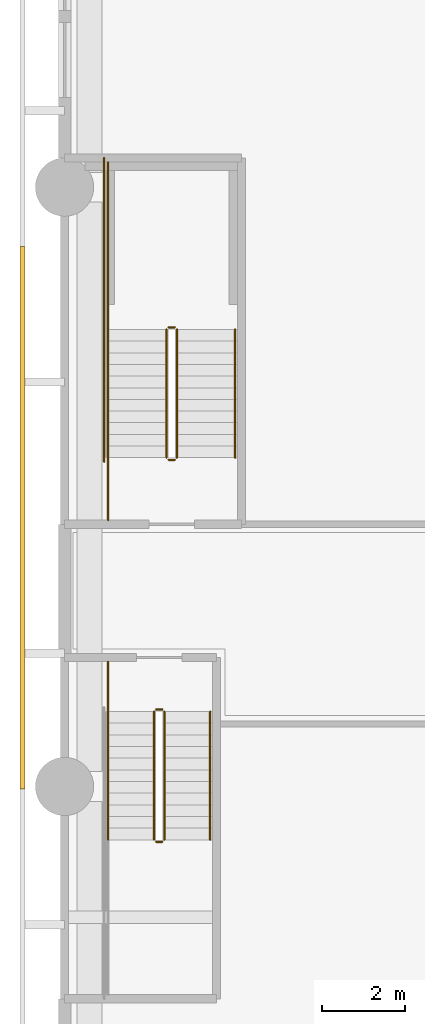
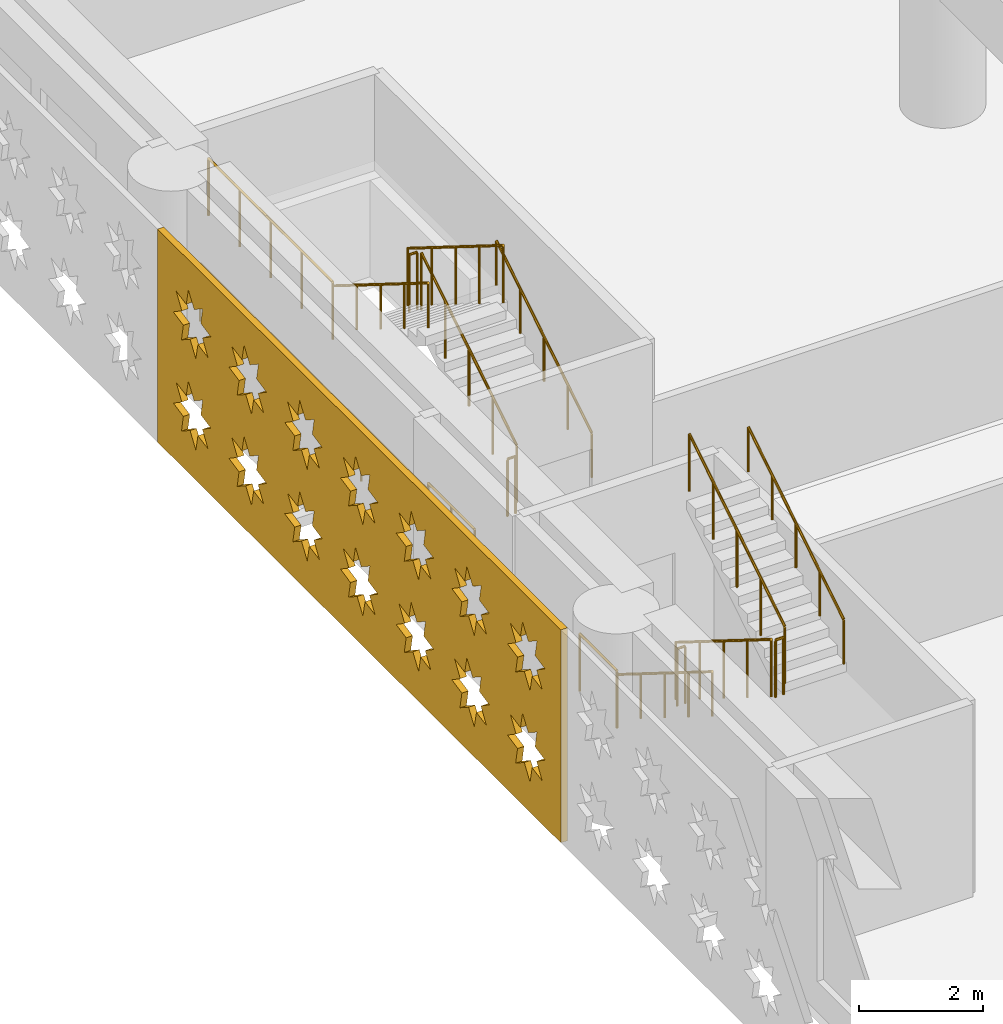
# One storey, part 14 of 23: 16 railings, 1 covering.
"""IFC4 building model written with IfcOpenShell, lengths in metres."""

from ifc_helpers import new_model, si_unit, direction, frame, origin, origin_2d, place, context, subcontext, project, spatial, polyline, circle, outline, extrude, material, layer, layer_set, type_object, element, save


model = new_model("IFC4")

# Units and contexts
model_context = context("Model", 3, precision=1e-05, world=origin(), true_north=direction((0.0, 1.0)))
body_context = subcontext(model_context, "Body", "Model", "MODEL_VIEW")
ifc_project = project(units=[si_unit("LENGTHUNIT", "METRE"), si_unit("AREAUNIT", "SQUARE_METRE"), si_unit("VOLUMEUNIT", "CUBIC_METRE"), si_unit("PLANEANGLEUNIT", "RADIAN"), si_unit("MASSUNIT", "GRAM", prefix="KILO")], contexts=[model_context])

# Site, building, storey
site_placement = place(None, origin())
site = spatial("IfcSite", under=ifc_project, at=site_placement, CompositionType="ELEMENT")
building_placement = place(site_placement, origin())
building = spatial("IfcBuilding", under=site, at=building_placement, Name="Saffron Iwan Residences", CompositionType="ELEMENT")
storey_placement = place(building_placement, frame((0.0, 0.0, 17.39990234375)))
storey = spatial("IfcBuildingStorey", under=building, at=storey_placement, Name="L03", CompositionType="ELEMENT", Elevation=17.39990234375)

# Covering
ifc_material_1 = material(Name="Terracotta screen, precast concrete C40/50", Category="masonry")
ifc_layer = layer(ifc_material_1, 0.1201171875)
ifc_layer_set = layer_set([ifc_layer], Name="Terracotta screen, precast concrete C40/50")
covering_type = type_object("IfcCoveringType", Name="PODIUM SCREEN GIRIH", PredefinedType="CLADDING", material=ifc_layer_set)
covering_placement = place(storey_placement, frame((-0.949951171875, 60.976806640625, -0.39990234375), z_axis=(-1.0, 0.0, 0.0), x_axis=(0.0, -1.0, 0.0)))
element("IfcCovering", 1, at=covering_placement, inside=storey, type_object=covering_type, Name="SCREEN girih terracotta L03 F3.2", PredefinedType="CLADDING", context=body_context, shape_type="SweptSolid", body=[
    extrude(outline(polyline([(0.0, 0.0), (13.03662109375, 0.0), (13.03662109375, 4.199951171875), (0.0, 4.199951171875), (0.0, 0.0)]), holes=[polyline([(1.726318359375, 1.321044921875), (1.40087890625, 1.388916015625), (1.462890625, 1.715576171875), (1.184814453125, 1.533447265625), (0.997314453125, 1.80810546875), (0.929443359375, 1.482666015625), (0.602783203125, 1.54443359375), (0.784912109375, 1.266357421875), (0.51025390625, 1.0791015625), (0.835693359375, 1.010986328125), (0.77392578125, 0.6845703125), (1.052001953125, 0.866455078125), (1.2392578125, 0.591796875), (1.30712890625, 0.917236328125), (1.6337890625, 0.85546875), (1.451904296875, 1.1337890625), (1.726318359375, 1.321044921875)]), polyline([(1.726318359375, 3.12109375), (1.40087890625, 3.18896484375), (1.462890625, 3.515380859375), (1.184814453125, 3.33349609375), (0.997314453125, 3.608154296875), (0.929443359375, 3.28271484375), (0.602783203125, 3.344482421875), (0.784912109375, 3.06640625), (0.51025390625, 2.87890625), (0.835693359375, 2.81103515625), (0.77392578125, 2.484619140625), (1.052001953125, 2.66650390625), (1.2392578125, 2.391845703125), (1.30712890625, 2.71728515625), (1.6337890625, 2.655517578125), (1.451904296875, 2.93359375), (1.726318359375, 3.12109375)]), polyline([(3.5263671875, 1.321044921875), (3.200927734375, 1.388916015625), (3.2626953125, 1.715576171875), (2.984619140625, 1.533447265625), (2.79736328125, 1.80810546875), (2.7294921875, 1.482666015625), (2.40283203125, 1.54443359375), (2.5849609375, 1.266357421875), (2.310302734375, 1.0791015625), (2.635498046875, 1.010986328125), (2.573974609375, 0.6845703125), (2.85205078125, 0.866455078125), (3.039306640625, 0.591796875), (3.107177734375, 0.917236328125), (3.433837890625, 0.85546875), (3.251708984375, 1.1337890625), (3.5263671875, 1.321044921875)]), polyline([(3.5263671875, 3.12109375), (3.200927734375, 3.18896484375), (3.2626953125, 3.515380859375), (2.984619140625, 3.33349609375), (2.79736328125, 3.608154296875), (2.7294921875, 3.28271484375), (2.40283203125, 3.344482421875), (2.5849609375, 3.06640625), (2.310302734375, 2.87890625), (2.635498046875, 2.81103515625), (2.573974609375, 2.484619140625), (2.85205078125, 2.66650390625), (3.039306640625, 2.391845703125), (3.107177734375, 2.71728515625), (3.433837890625, 2.655517578125), (3.251708984375, 2.93359375), (3.5263671875, 3.12109375)]), polyline([(5.326416015625, 1.321044921875), (5.0009765625, 1.388916015625), (5.062744140625, 1.715576171875), (4.78466796875, 1.533447265625), (4.597412109375, 1.80810546875), (4.529296875, 1.482666015625), (4.202880859375, 1.54443359375), (4.385009765625, 1.266357421875), (4.110107421875, 1.0791015625), (4.435546875, 1.010986328125), (4.373779296875, 0.6845703125), (4.652099609375, 0.866455078125), (4.83935546875, 0.591796875), (4.9072265625, 0.917236328125), (5.23388671875, 0.85546875), (5.0517578125, 1.1337890625), (5.326416015625, 1.321044921875)]), polyline([(5.326416015625, 3.12109375), (5.0009765625, 3.18896484375), (5.062744140625, 3.515380859375), (4.78466796875, 3.33349609375), (4.597412109375, 3.608154296875), (4.529296875, 3.28271484375), (4.202880859375, 3.344482421875), (4.385009765625, 3.06640625), (4.110107421875, 2.87890625), (4.435546875, 2.81103515625), (4.373779296875, 2.484619140625), (4.652099609375, 2.66650390625), (4.83935546875, 2.391845703125), (4.9072265625, 2.71728515625), (5.23388671875, 2.655517578125), (5.0517578125, 2.93359375), (5.326416015625, 3.12109375)]), polyline([(7.12646484375, 1.321044921875), (6.801025390625, 1.388916015625), (6.86279296875, 1.715576171875), (6.584716796875, 1.533447265625), (6.3974609375, 1.80810546875), (6.329345703125, 1.482666015625), (6.002685546875, 1.54443359375), (6.184814453125, 1.266357421875), (5.91015625, 1.0791015625), (6.235595703125, 1.010986328125), (6.173828125, 0.6845703125), (6.451904296875, 0.866455078125), (6.639404296875, 0.591796875), (6.707275390625, 0.917236328125), (7.03369140625, 0.85546875), (6.851806640625, 1.1337890625), (7.12646484375, 1.321044921875)]), polyline([(7.12646484375, 3.12109375), (6.801025390625, 3.18896484375), (6.86279296875, 3.515380859375), (6.584716796875, 3.33349609375), (6.3974609375, 3.608154296875), (6.329345703125, 3.28271484375), (6.002685546875, 3.344482421875), (6.184814453125, 3.06640625), (5.91015625, 2.87890625), (6.235595703125, 2.81103515625), (6.173828125, 2.484619140625), (6.451904296875, 2.66650390625), (6.639404296875, 2.391845703125), (6.707275390625, 2.71728515625), (7.03369140625, 2.655517578125), (6.851806640625, 2.93359375), (7.12646484375, 3.12109375)]), polyline([(8.926513671875, 1.321044921875), (8.60107421875, 1.388916015625), (8.662841796875, 1.715576171875), (8.384765625, 1.533447265625), (8.197509765625, 1.80810546875), (8.12939453125, 1.482666015625), (7.802734375, 1.54443359375), (7.98486328125, 1.266357421875), (7.710205078125, 1.0791015625), (8.03564453125, 1.010986328125), (7.973876953125, 0.6845703125), (8.251953125, 0.866455078125), (8.439208984375, 0.591796875), (8.507080078125, 0.917236328125), (8.833740234375, 0.85546875), (8.65185546875, 1.1337890625), (8.926513671875, 1.321044921875)]), polyline([(8.926513671875, 3.12109375), (8.60107421875, 3.18896484375), (8.662841796875, 3.515380859375), (8.384765625, 3.33349609375), (8.197509765625, 3.608154296875), (8.12939453125, 3.28271484375), (7.802734375, 3.344482421875), (7.98486328125, 3.06640625), (7.710205078125, 2.87890625), (8.03564453125, 2.81103515625), (7.973876953125, 2.484619140625), (8.251953125, 2.66650390625), (8.439208984375, 2.391845703125), (8.507080078125, 2.71728515625), (8.833740234375, 2.655517578125), (8.65185546875, 2.93359375), (8.926513671875, 3.12109375)]), polyline([(10.726318359375, 1.321044921875), (10.40087890625, 1.388916015625), (10.462890625, 1.715576171875), (10.184814453125, 1.533447265625), (9.997314453125, 1.80810546875), (9.929443359375, 1.482666015625), (9.602783203125, 1.54443359375), (9.784912109375, 1.266357421875), (9.51025390625, 1.0791015625), (9.835693359375, 1.010986328125), (9.77392578125, 0.6845703125), (10.052001953125, 0.866455078125), (10.2392578125, 0.591796875), (10.30712890625, 0.917236328125), (10.6337890625, 0.85546875), (10.451904296875, 1.1337890625), (10.726318359375, 1.321044921875)]), polyline([(10.726318359375, 3.12109375), (10.40087890625, 3.18896484375), (10.462890625, 3.515380859375), (10.184814453125, 3.33349609375), (9.997314453125, 3.608154296875), (9.929443359375, 3.28271484375), (9.602783203125, 3.344482421875), (9.784912109375, 3.06640625), (9.51025390625, 2.87890625), (9.835693359375, 2.81103515625), (9.77392578125, 2.484619140625), (10.052001953125, 2.66650390625), (10.2392578125, 2.391845703125), (10.30712890625, 2.71728515625), (10.6337890625, 2.655517578125), (10.451904296875, 2.93359375), (10.726318359375, 3.12109375)]), polyline([(12.5263671875, 1.321044921875), (12.200927734375, 1.388916015625), (12.2626953125, 1.715576171875), (11.984619140625, 1.533447265625), (11.79736328125, 1.80810546875), (11.7294921875, 1.482666015625), (11.40283203125, 1.54443359375), (11.5849609375, 1.266357421875), (11.310302734375, 1.0791015625), (11.635498046875, 1.010986328125), (11.573974609375, 0.6845703125), (11.85205078125, 0.866455078125), (12.039306640625, 0.591796875), (12.107177734375, 0.917236328125), (12.433837890625, 0.85546875), (12.251708984375, 1.1337890625), (12.5263671875, 1.321044921875)]), polyline([(12.5263671875, 3.12109375), (12.200927734375, 3.18896484375), (12.2626953125, 3.515380859375), (11.984619140625, 3.33349609375), (11.79736328125, 3.608154296875), (11.7294921875, 3.28271484375), (11.40283203125, 3.344482421875), (11.5849609375, 3.06640625), (11.310302734375, 2.87890625), (11.635498046875, 2.81103515625), (11.573974609375, 2.484619140625), (11.85205078125, 2.66650390625), (12.039306640625, 2.391845703125), (12.107177734375, 2.71728515625), (12.433837890625, 2.655517578125), (12.251708984375, 2.93359375), (12.5263671875, 3.12109375)])]), origin(), (0.0, 0.0, 1.0), 0.1201171875),
])

# Railings
ifc_material_2 = material(Name="Steel S355", Category="steel")
railing_type_1 = type_object("IfcRailingType", Name="Podium stair guard 1150", PredefinedType="GUARDRAIL", material=ifc_material_2)
railing_1_placement = place(storey_placement, frame((2.14990234375, 49.800048828125, 0.175048828125)))
element("IfcRailing", 2, at=railing_1_placement, inside=storey, type_object=railing_type_1, Name="L03 PS1 stair guard 1", PredefinedType="GUARDRAIL", context=body_context, shape_type="SweptSolid", body=[
    extrude(circle(Radius=0.02392578125, at=origin_2d()), frame((0.0, 0.0, 1.1259765625), z_axis=(0.0, -0.847998304005, 0.529998940003), x_axis=(1.0, 0.0, 0.0)), (0.0, 0.0, 1.0), 3.632080078125),
    extrude(circle(Radius=0.02099609375, at=origin_2d()), origin(), (0.0, 0.0, 1.0), 1.101806640625),
    extrude(circle(Radius=0.02099609375, at=origin_2d()), frame((0.0, -0.77001953125, 0.481201171875)), (0.0, 0.0, 1.0), 1.101806640625),
    extrude(circle(Radius=0.02099609375, at=origin_2d()), frame((0.0, -1.5400390625, 0.96240234375)), (0.0, 0.0, 1.0), 1.101806640625),
    extrude(circle(Radius=0.02099609375, at=origin_2d()), frame((0.0, -2.31005859375, 1.44384765625)), (0.0, 0.0, 1.0), 1.101806640625),
    extrude(circle(Radius=0.02099609375, at=origin_2d()), frame((0.0, -3.080078125, 1.925048828125)), (0.0, 0.0, 1.0), 1.101806640625),
])
railing_2_placement = place(storey_placement, frame((2.199951171875, 46.669921875, 2.10009765625)))
element("IfcRailing", 3, at=railing_2_placement, inside=storey, type_object=railing_type_1, Name="L03 PS1 stair guard 2", PredefinedType="GUARDRAIL", context=body_context, shape_type="SweptSolid", body=[
    extrude(circle(Radius=0.02392578125, at=origin_2d()), frame((0.0, 0.0, 1.1259765625), z_axis=(1.0, 0.0, 0.0), x_axis=(0.0, 1.0, 0.0)), (0.0, 0.0, 1.0), 0.150146484375),
    extrude(circle(Radius=0.02099609375, at=origin_2d()), origin(), (0.0, 0.0, 1.0), 1.101806640625),
    extrude(circle(Radius=0.02099609375, at=origin_2d()), frame((0.150146484375, 0.0, 0.0)), (0.0, 0.0, 1.0), 1.101806640625),
])
railing_3_placement = place(storey_placement, frame((2.39990234375, 46.719970703125, 2.275146484375)))
element("IfcRailing", 4, at=railing_3_placement, inside=storey, type_object=railing_type_1, Name="L03 PS1 stair guard 4", PredefinedType="GUARDRAIL", context=body_context, shape_type="SweptSolid", body=[
    extrude(circle(Radius=0.02392578125, at=origin_2d()), frame((0.0, 0.0, 1.1259765625), z_axis=(0.0, 0.847998304005, 0.529998940003), x_axis=(-1.0, 0.0, 0.0)), (0.0, 0.0, 1.0), 3.632080078125),
    extrude(circle(Radius=0.02099609375, at=origin_2d()), origin(), (0.0, 0.0, 1.0), 1.101806640625),
    extrude(circle(Radius=0.02099609375, at=origin_2d()), frame((0.0, 0.77001953125, 0.481201171875)), (0.0, 0.0, 1.0), 1.101806640625),
    extrude(circle(Radius=0.02099609375, at=origin_2d()), frame((0.0, 1.5400390625, 0.96240234375)), (0.0, 0.0, 1.0), 1.101806640625),
    extrude(circle(Radius=0.02099609375, at=origin_2d()), frame((0.0, 2.31005859375, 1.44384765625)), (0.0, 0.0, 1.0), 1.101806640625),
    extrude(circle(Radius=0.02099609375, at=origin_2d()), frame((0.0, 3.080078125, 1.925048828125)), (0.0, 0.0, 1.0), 1.101806640625),
])
railing_4_placement = place(storey_placement, frame((2.199951171875, 49.85009765625, 0.0)))
element("IfcRailing", 5, at=railing_4_placement, inside=storey, type_object=railing_type_1, Name="L03 PS1 stair guard 5", PredefinedType="GUARDRAIL", context=body_context, shape_type="SweptSolid", body=[
    extrude(circle(Radius=0.02392578125, at=origin_2d()), frame((0.0, 0.0, 1.1259765625), z_axis=(1.0, 0.0, 0.0), x_axis=(0.0, 1.0, 0.0)), (0.0, 0.0, 1.0), 0.150146484375),
    extrude(circle(Radius=0.02099609375, at=origin_2d()), origin(), (0.0, 0.0, 1.0), 1.101806640625),
    extrude(circle(Radius=0.02099609375, at=origin_2d()), frame((0.150146484375, 0.0, 0.0)), (0.0, 0.0, 1.0), 1.101806640625),
])
railing_5_placement = place(storey_placement, frame((1.050048828125, 51.0, 0.0)))
element("IfcRailing", 6, at=railing_5_placement, inside=storey, type_object=railing_type_1, Name="L03 PS1 stair guard 6", PredefinedType="GUARDRAIL", context=body_context, shape_type="SweptSolid", body=[
    extrude(circle(Radius=0.02392578125, at=origin_2d()), frame((0.0, 0.0, 1.1259765625), z_axis=(0.0, -1.0, 0.0), x_axis=(1.0, 0.0, 0.0)), (0.0, 0.0, 1.0), 1.199951171875),
    extrude(circle(Radius=0.02099609375, at=origin_2d()), origin(), (0.0, 0.0, 1.0), 1.101806640625),
    extrude(circle(Radius=0.02099609375, at=origin_2d()), frame((0.0, -1.199951171875, 0.0)), (0.0, 0.0, 1.0), 1.101806640625),
])
railing_6_placement = place(storey_placement, frame((2.699951171875, 55.89990234375, 0.175048828125)))
element("IfcRailing", 7, at=railing_6_placement, inside=storey, type_object=railing_type_1, Name="L03 PS3 stair guard 1", PredefinedType="GUARDRAIL", context=body_context, shape_type="SweptSolid", body=[
    extrude(circle(Radius=0.02392578125, at=origin_2d()), frame((0.0, 0.0, 1.1259765625), z_axis=(0.0, 0.847998304005, 0.529998940003), x_axis=(-1.0, 0.0, 0.0)), (0.0, 0.0, 1.0), 3.632080078125),
    extrude(circle(Radius=0.02099609375, at=origin_2d()), origin(), (0.0, 0.0, 1.0), 1.101806640625),
    extrude(circle(Radius=0.02099609375, at=origin_2d()), frame((0.0, 0.77001953125, 0.481201171875)), (0.0, 0.0, 1.0), 1.101806640625),
    extrude(circle(Radius=0.02099609375, at=origin_2d()), frame((0.0, 1.5400390625, 0.96240234375)), (0.0, 0.0, 1.0), 1.101806640625),
    extrude(circle(Radius=0.02099609375, at=origin_2d()), frame((0.0, 2.31005859375, 1.44384765625)), (0.0, 0.0, 1.0), 1.101806640625),
    extrude(circle(Radius=0.02099609375, at=origin_2d()), frame((0.0, 3.080078125, 1.925048828125)), (0.0, 0.0, 1.0), 1.101806640625),
])
railing_7_placement = place(storey_placement, frame((2.64990234375, 59.030029296875, 2.10009765625)))
element("IfcRailing", 8, at=railing_7_placement, inside=storey, type_object=railing_type_1, Name="L03 PS3 stair guard 2", PredefinedType="GUARDRAIL", context=body_context, shape_type="SweptSolid", body=[
    extrude(circle(Radius=0.02392578125, at=origin_2d()), frame((0.0, 0.0, 1.1259765625), z_axis=(-1.0, 0.0, 0.0), x_axis=(0.0, -1.0, 0.0)), (0.0, 0.0, 1.0), 0.14990234375),
    extrude(circle(Radius=0.02099609375, at=origin_2d()), origin(), (0.0, 0.0, 1.0), 1.101806640625),
    extrude(circle(Radius=0.02099609375, at=origin_2d()), frame((-0.14990234375, 0.0, 0.0)), (0.0, 0.0, 1.0), 1.101806640625),
])
railing_8_placement = place(storey_placement, frame((1.050048828125, 58.97998046875, 2.10009765625)))
element("IfcRailing", 9, at=railing_8_placement, inside=storey, type_object=railing_type_1, Name="L03 PS3 stair guard 3", PredefinedType="GUARDRAIL", context=body_context, shape_type="SweptSolid", body=[
    extrude(circle(Radius=0.02392578125, at=origin_2d()), frame((0.0, 0.0, 1.1259765625), z_axis=(0.0, 1.0, 0.0), x_axis=(-1.0, 0.0, 0.0)), (0.0, 0.0, 1.0), 4.02001953125),
    extrude(circle(Radius=0.02099609375, at=origin_2d()), origin(), (0.0, 0.0, 1.0), 1.101806640625),
    extrude(circle(Radius=0.02099609375, at=origin_2d()), frame((0.0, 1.0048828125, 0.0)), (0.0, 0.0, 1.0), 1.101806640625),
    extrude(circle(Radius=0.02099609375, at=origin_2d()), frame((0.0, 2.010009765625, 0.0)), (0.0, 0.0, 1.0), 1.101806640625),
    extrude(circle(Radius=0.02099609375, at=origin_2d()), frame((0.0, 3.01513671875, 0.0)), (0.0, 0.0, 1.0), 1.101806640625),
    extrude(circle(Radius=0.02099609375, at=origin_2d()), frame((0.0, 4.02001953125, 0.0)), (0.0, 0.0, 1.0), 1.101806640625),
])
railing_9_placement = place(storey_placement, frame((2.449951171875, 58.97998046875, 2.275146484375)))
element("IfcRailing", 10, at=railing_9_placement, inside=storey, type_object=railing_type_1, Name="L03 PS3 stair guard 4", PredefinedType="GUARDRAIL", context=body_context, shape_type="SweptSolid", body=[
    extrude(circle(Radius=0.02392578125, at=origin_2d()), frame((0.0, 0.0, 1.1259765625), z_axis=(0.0, -0.847998304005, 0.529998940003), x_axis=(1.0, 0.0, 0.0)), (0.0, 0.0, 1.0), 3.632080078125),
    extrude(circle(Radius=0.02099609375, at=origin_2d()), origin(), (0.0, 0.0, 1.0), 1.101806640625),
    extrude(circle(Radius=0.02099609375, at=origin_2d()), frame((0.0, -0.77001953125, 0.481201171875)), (0.0, 0.0, 1.0), 1.101806640625),
    extrude(circle(Radius=0.02099609375, at=origin_2d()), frame((0.0, -1.5400390625, 0.96240234375)), (0.0, 0.0, 1.0), 1.101806640625),
    extrude(circle(Radius=0.02099609375, at=origin_2d()), frame((0.0, -2.31005859375, 1.44384765625)), (0.0, 0.0, 1.0), 1.101806640625),
    extrude(circle(Radius=0.02099609375, at=origin_2d()), frame((0.0, -3.080078125, 1.925048828125)), (0.0, 0.0, 1.0), 1.101806640625),
])
railing_10_placement = place(storey_placement, frame((2.64990234375, 55.85009765625, 0.0)))
element("IfcRailing", 11, at=railing_10_placement, inside=storey, type_object=railing_type_1, Name="L03 PS3 stair guard 5", PredefinedType="GUARDRAIL", context=body_context, shape_type="SweptSolid", body=[
    extrude(circle(Radius=0.02392578125, at=origin_2d()), frame((0.0, 0.0, 1.1259765625), z_axis=(-1.0, 0.0, 0.0), x_axis=(0.0, -1.0, 0.0)), (0.0, 0.0, 1.0), 0.14990234375),
    extrude(circle(Radius=0.02099609375, at=origin_2d()), origin(), (0.0, 0.0, 1.0), 1.101806640625),
    extrude(circle(Radius=0.02099609375, at=origin_2d()), frame((-0.14990234375, 0.0, 0.0)), (0.0, 0.0, 1.0), 1.101806640625),
])
railing_11_placement = place(storey_placement, frame((1.050048828125, 54.39990234375, 0.0)))
element("IfcRailing", 12, at=railing_11_placement, inside=storey, type_object=railing_type_1, Name="L03 PS3 stair guard 6", PredefinedType="GUARDRAIL", context=body_context, shape_type="SweptSolid", body=[
    extrude(circle(Radius=0.02392578125, at=origin_2d()), frame((0.0, 0.0, 1.1259765625), z_axis=(0.0, 1.0, 0.0), x_axis=(-1.0, 0.0, 0.0)), (0.0, 0.0, 1.0), 1.5),
    extrude(circle(Radius=0.02099609375, at=origin_2d()), origin(), (0.0, 0.0, 1.0), 1.101806640625),
    extrude(circle(Radius=0.02099609375, at=origin_2d()), frame((0.0, 0.75, 0.0)), (0.0, 0.0, 1.0), 1.101806640625),
    extrude(circle(Radius=0.02099609375, at=origin_2d()), frame((0.0, 1.5, 0.0)), (0.0, 0.0, 1.0), 1.101806640625),
])
railing_12_placement = place(storey_placement, frame((0.949951171875, 55.800048828125, 0.0)))
element("IfcRailing", 13, at=railing_12_placement, inside=storey, type_object=railing_type_1, Name="L03 PS3 stair guard 7", PredefinedType="GUARDRAIL", context=body_context, shape_type="SweptSolid", body=[
    extrude(circle(Radius=0.02392578125, at=origin_2d()), frame((0.0, 0.0, 1.1259765625), z_axis=(0.0, 1.0, 0.0), x_axis=(-1.0, 0.0, 0.0)), (0.0, 0.0, 1.0), 7.300048828125),
    extrude(circle(Radius=0.02099609375, at=origin_2d()), origin(), (0.0, 0.0, 1.0), 1.101806640625),
    extrude(circle(Radius=0.02099609375, at=origin_2d()), frame((0.0, 1.04296875, 0.0)), (0.0, 0.0, 1.0), 1.101806640625),
    extrude(circle(Radius=0.02099609375, at=origin_2d()), frame((0.0, 2.085693359375, 0.0)), (0.0, 0.0, 1.0), 1.101806640625),
    extrude(circle(Radius=0.02099609375, at=origin_2d()), frame((0.0, 3.128662109375, 0.0)), (0.0, 0.0, 1.0), 1.101806640625),
    extrude(circle(Radius=0.02099609375, at=origin_2d()), frame((0.0, 4.17138671875, 0.0)), (0.0, 0.0, 1.0), 1.101806640625),
    extrude(circle(Radius=0.02099609375, at=origin_2d()), frame((0.0, 5.21435546875, 0.0)), (0.0, 0.0, 1.0), 1.101806640625),
    extrude(circle(Radius=0.02099609375, at=origin_2d()), frame((0.0, 6.257080078125, 0.0)), (0.0, 0.0, 1.0), 1.101806640625),
    extrude(circle(Radius=0.02099609375, at=origin_2d()), frame((0.0, 7.300048828125, 0.0)), (0.0, 0.0, 1.0), 1.101806640625),
])
railing_type_2 = type_object("IfcRailingType", Name="Podium stair handrail 900", PredefinedType="HANDRAIL", material=ifc_material_2)
railing_13_placement = place(storey_placement, frame((1.050048828125, 49.800048828125, 0.175048828125)))
element("IfcRailing", 14, at=railing_13_placement, inside=storey, type_object=railing_type_2, Name="L03 PS1 stair handrail 1", PredefinedType="HANDRAIL", context=body_context, shape_type="SweptSolid", body=[
    extrude(circle(Radius=0.02392578125, at=origin_2d()), frame((0.0, 0.0, 0.8759765625), z_axis=(0.0, -0.847998304005, 0.529998940003), x_axis=(1.0, 0.0, 0.0)), (0.0, 0.0, 1.0), 3.632080078125),
    extrude(circle(Radius=0.02099609375, at=origin_2d()), origin(), (0.0, 0.0, 1.0), 0.851806640625),
    extrude(circle(Radius=0.02099609375, at=origin_2d()), frame((0.0, -0.77001953125, 0.481201171875)), (0.0, 0.0, 1.0), 0.851806640625),
    extrude(circle(Radius=0.02099609375, at=origin_2d()), frame((0.0, -1.5400390625, 0.96240234375)), (0.0, 0.0, 1.0), 0.851806640625),
    extrude(circle(Radius=0.02099609375, at=origin_2d()), frame((0.0, -2.31005859375, 1.44384765625)), (0.0, 0.0, 1.0), 0.851806640625),
    extrude(circle(Radius=0.02099609375, at=origin_2d()), frame((0.0, -3.080078125, 1.925048828125)), (0.0, 0.0, 1.0), 0.851806640625),
])
for number, where, name in (
    (15, (3.5, 46.719970703125, 2.275146484375), "L03 PS1 stair handrail 2"),
    (16, (4.10009765625, 55.89990234375, 0.175048828125), "L03 PS3 stair handrail 1"),
):
    element("IfcRailing", number, at=place(storey_placement, frame(where)), inside=storey, type_object=railing_type_2, Name=name, PredefinedType="HANDRAIL", context=body_context, shape_type="SweptSolid", body=[
        extrude(circle(Radius=0.02392578125, at=origin_2d()), frame((0.0, 0.0, 0.8759765625), z_axis=(0.0, 0.847998304005, 0.529998940003), x_axis=(-1.0, 0.0, 0.0)), (0.0, 0.0, 1.0), 3.632080078125),
        extrude(circle(Radius=0.02099609375, at=origin_2d()), origin(), (0.0, 0.0, 1.0), 0.851806640625),
        extrude(circle(Radius=0.02099609375, at=origin_2d()), frame((0.0, 0.77001953125, 0.481201171875)), (0.0, 0.0, 1.0), 0.851806640625),
        extrude(circle(Radius=0.02099609375, at=origin_2d()), frame((0.0, 1.5400390625, 0.96240234375)), (0.0, 0.0, 1.0), 0.851806640625),
        extrude(circle(Radius=0.02099609375, at=origin_2d()), frame((0.0, 2.31005859375, 1.44384765625)), (0.0, 0.0, 1.0), 0.851806640625),
        extrude(circle(Radius=0.02099609375, at=origin_2d()), frame((0.0, 3.080078125, 1.925048828125)), (0.0, 0.0, 1.0), 0.851806640625),
    ])
railing_14_placement = place(storey_placement, frame((1.050048828125, 58.97998046875, 2.275146484375)))
element("IfcRailing", 17, at=railing_14_placement, inside=storey, type_object=railing_type_2, Name="L03 PS3 stair handrail 2", PredefinedType="HANDRAIL", context=body_context, shape_type="SweptSolid", body=[
    extrude(circle(Radius=0.02392578125, at=origin_2d()), frame((0.0, 0.0, 0.8759765625), z_axis=(0.0, -0.847998304005, 0.529998940003), x_axis=(1.0, 0.0, 0.0)), (0.0, 0.0, 1.0), 3.632080078125),
    extrude(circle(Radius=0.02099609375, at=origin_2d()), origin(), (0.0, 0.0, 1.0), 0.851806640625),
    extrude(circle(Radius=0.02099609375, at=origin_2d()), frame((0.0, -0.77001953125, 0.481201171875)), (0.0, 0.0, 1.0), 0.851806640625),
    extrude(circle(Radius=0.02099609375, at=origin_2d()), frame((0.0, -1.5400390625, 0.96240234375)), (0.0, 0.0, 1.0), 0.851806640625),
    extrude(circle(Radius=0.02099609375, at=origin_2d()), frame((0.0, -2.31005859375, 1.44384765625)), (0.0, 0.0, 1.0), 0.851806640625),
    extrude(circle(Radius=0.02099609375, at=origin_2d()), frame((0.0, -3.080078125, 1.925048828125)), (0.0, 0.0, 1.0), 0.851806640625),
])

save(model, "model.ifc")
